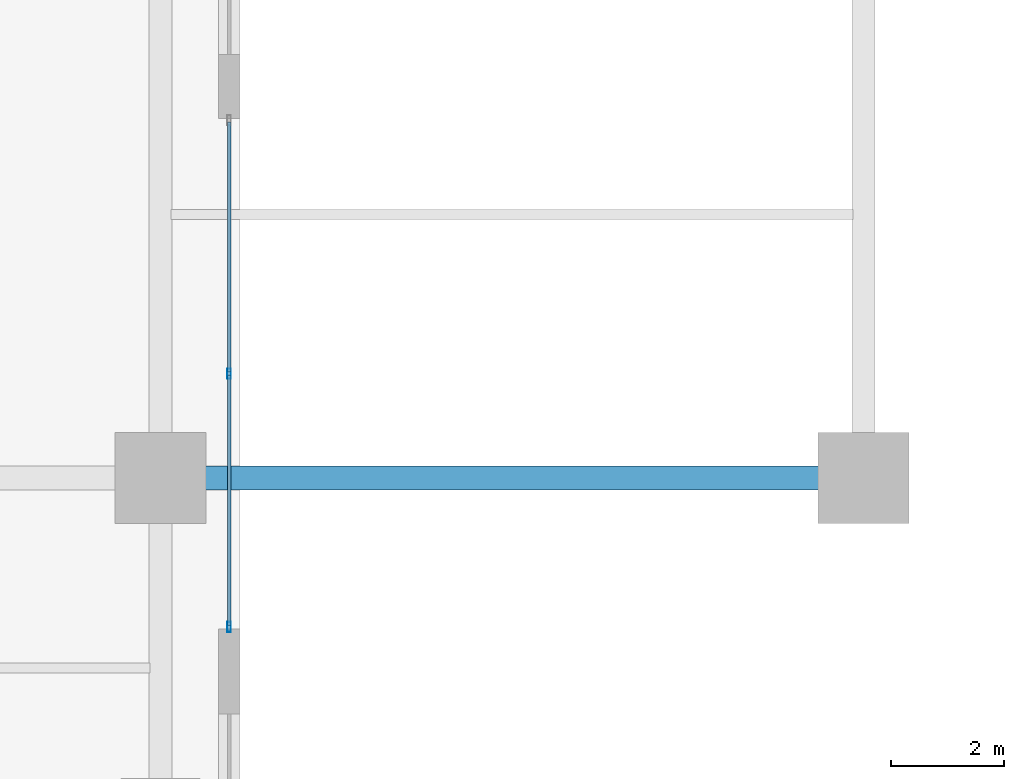
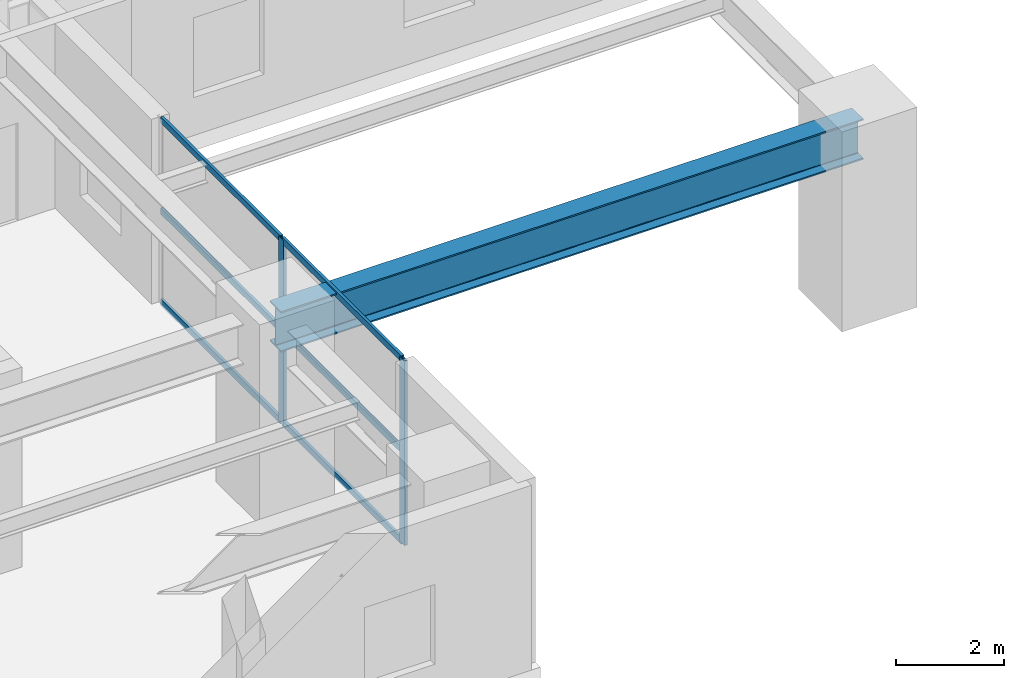
# One storey, part 2 of 28: 8 members, 1 beam, 1 element without a shape of its own.
"""IFC4 building model written with IfcOpenShell, lengths in metres."""

from ifc_helpers import new_model, si_unit, direction, frame, origin, origin_2d, place, context, subcontext, project, spatial, hollow_rectangle, i_section, extrude, source, transform, mapped, material, layer, layer_set, material_profile, profile_set, type_object, element, aggregate, save


model = new_model("IFC4")

# Units and contexts
model_context = context("Model", 3, precision=1e-05, world=origin(), true_north=direction((0.0, 1.0)))
body_context = subcontext(model_context, "Body", "Model", "MODEL_VIEW")
ifc_project = project(units=[si_unit("LENGTHUNIT", "METRE"), si_unit("AREAUNIT", "SQUARE_METRE"), si_unit("VOLUMEUNIT", "CUBIC_METRE"), si_unit("PLANEANGLEUNIT", "RADIAN"), si_unit("MASSUNIT", "GRAM", prefix="KILO")], contexts=[model_context])

# Site, building, storey
site_placement = place(None, origin())
site = spatial("IfcSite", under=ifc_project, at=site_placement, CompositionType="ELEMENT")
building_placement = place(site_placement, origin())
building = spatial("IfcBuilding", under=site, at=building_placement, Name="Khoralis Quay Care Tower", CompositionType="ELEMENT")
storey_placement = place(building_placement, frame((0.0, 0.0, 9.0)))
storey = spatial("IfcBuildingStorey", under=building, at=storey_placement, Name="L02", CompositionType="ELEMENT", Elevation=9.0)

# Beam
ifc_material_1 = material(Name="Steel S355", Category="steel")
ifc_material_profile_1 = material_profile(ifc_material_1, i_section(OverallWidth=0.41796875, OverallDepth=0.912109375, WebThickness=0.019287109375, FlangeThickness=0.031982421875, FilletRadius=0.02392578125, at=origin_2d()), Name="Steel S355")
ifc_profile_set_1 = profile_set([ifc_material_profile_1], Name="Steel S355")
beam_type = type_object("IfcBeamType", Name="BM-W920X342", PredefinedType="BEAM", material=ifc_profile_set_1)
shared_shape_1 = source(origin(), body_context, "Body", "SweptSolid", [
    extrude(i_section(OverallWidth=0.41796875, OverallDepth=0.912109375, WebThickness=0.019287109375, FlangeThickness=0.031982421875, FilletRadius=0.02392578125, at=origin_2d()), origin(), (0.0, 0.0, 1.0), 12.39990234375),
])
beam_placement = place(storey_placement, frame((34.60009765625, 1.35009765625, 3.7041015625), z_axis=(1.0, 0.0, 0.0), x_axis=(0.0, 1.0, 0.0)))
element("IfcBeam", 1, at=beam_placement, inside=storey, type_object=beam_type, Name="BM-PODX-L02-07", PredefinedType="BEAM", context=body_context, shape_type="MappedRepresentation", body=[
    mapped(shared_shape_1, transform((0.0, 0.0, 0.0), scale=1.0)),
])

# Curtain wall, members
ifc_material_2 = material(Name="Pale anodised aluminium", Category="aluminium")
ifc_layer = layer(ifc_material_2, 0.179931640625)
ifc_layer_set = layer_set([ifc_layer], Name="Pale anodised aluminium")
curtain_wall_type = type_object("IfcCurtainWallType", Name="CW-SYS-Z1", PredefinedType="NOTDEFINED", material=ifc_layer_set)
curtain_wall_placement = place(storey_placement, origin())
curtain_wall = element("IfcCurtainWall", 2, at=curtain_wall_placement, inside=storey, type_object=curtain_wall_type, Name="L02 Unitised Curtain Wall CW-POD-L02-E1", PredefinedType="NOTDEFINED")
ifc_material_profile_2 = material_profile(ifc_material_2, hollow_rectangle(XDim=0.06494140625, YDim=0.179931640625, WallThickness=0.00390625, at=origin_2d()), Name="Pale anodised aluminium")
ifc_profile_set_2 = profile_set([ifc_material_profile_2], Name="Pale anodised aluminium")
member_type_1 = type_object("IfcMemberType", Name="CW-MUL-180", PredefinedType="MULLION", material=ifc_profile_set_2)
shared_shape_2 = source(origin(), body_context, "Body", "SweptSolid", [
    extrude(hollow_rectangle(XDim=0.06494140625, YDim=0.179931640625, WallThickness=0.00390625, at=origin_2d()), origin(), (0.0, 0.0, 1.0), 4.159912109375),
])
member_1_placement = place(storey_placement, frame((35.81005859375, -1.280029296875, 0.0), z_axis=(0.0, 0.0, 1.0), x_axis=(-1.0, 0.0, 0.0)))
member_1 = element("IfcMember", 3, at=member_1_placement, type_object=member_type_1, Name="CW1 mullion 1", PredefinedType="MULLION", context=body_context, shape_type="MappedRepresentation", body=[
    mapped(shared_shape_2, transform((0.0, 0.0, 0.0), scale=1.0)),
])
member_2_placement = place(storey_placement, frame((35.81005859375, 3.18994140625, 0.0), z_axis=(0.0, 0.0, 1.0), x_axis=(-1.0, 0.0, 0.0)))
member_2 = element("IfcMember", 4, at=member_2_placement, type_object=member_type_1, Name="CW1 mullion 2", PredefinedType="MULLION", context=body_context, shape_type="MappedRepresentation", body=[
    mapped(shared_shape_2, transform((0.0, 0.0, 0.0), scale=1.0)),
])
ifc_material_profile_3 = material_profile(ifc_material_2, hollow_rectangle(XDim=0.06005859375, YDim=0.139892578125, WallThickness=0.00390625, at=origin_2d()), Name="Pale anodised aluminium")
ifc_profile_set_3 = profile_set([ifc_material_profile_3], Name="Pale anodised aluminium")
member_type_2 = type_object("IfcMemberType", Name="CW-TRN-140", PredefinedType="USERDEFINED", material=ifc_profile_set_3)
shared_shape_3 = source(origin(), body_context, "Body", "SweptSolid", [
    extrude(hollow_rectangle(XDim=0.06005859375, YDim=0.139892578125, WallThickness=0.00390625, at=origin_2d()), origin(), (0.0, 0.0, 1.0), 4.409912109375),
])
member_3_placement = place(storey_placement, frame((35.81005859375, -1.25, 0.030029296875), z_axis=(0.0, 1.0, 0.0), x_axis=(-1.0, 0.0, 0.0)))
member_3 = element("IfcMember", 5, at=member_3_placement, type_object=member_type_2, Name="CW1 transom 1.1", ObjectType="TRANSOM", PredefinedType="USERDEFINED", context=body_context, shape_type="MappedRepresentation", body=[
    mapped(shared_shape_3, transform((0.0, 0.0, 0.0), scale=1.0)),
])
member_4_placement = place(storey_placement, frame((35.81005859375, -1.25, 2.080078125), z_axis=(0.0, 1.0, 0.0), x_axis=(-1.0, 0.0, 0.0)))
member_4 = element("IfcMember", 6, at=member_4_placement, type_object=member_type_2, Name="CW1 transom 1.2", ObjectType="TRANSOM", PredefinedType="USERDEFINED", context=body_context, shape_type="MappedRepresentation", body=[
    mapped(shared_shape_3, transform((0.0, 0.0, 0.0), scale=1.0)),
])
member_5_placement = place(storey_placement, frame((35.81005859375, -1.25, 4.1298828125), z_axis=(0.0, 1.0, 0.0), x_axis=(-1.0, 0.0, 0.0)))
member_5 = element("IfcMember", 7, at=member_5_placement, type_object=member_type_2, Name="CW1 transom 1.3", ObjectType="TRANSOM", PredefinedType="USERDEFINED", context=body_context, shape_type="MappedRepresentation", body=[
    mapped(shared_shape_3, transform((0.0, 0.0, 0.0), scale=1.0)),
])
member_6_placement = place(storey_placement, frame((35.81005859375, 3.219970703125, 0.030029296875), z_axis=(0.0, 1.0, 0.0), x_axis=(-1.0, 0.0, 0.0)))
member_6 = element("IfcMember", 8, at=member_6_placement, type_object=member_type_2, Name="CW1 transom 2.1", ObjectType="TRANSOM", PredefinedType="USERDEFINED", context=body_context, shape_type="MappedRepresentation", body=[
    mapped(shared_shape_3, transform((0.0, 0.0, 0.0), scale=1.0)),
])
member_7_placement = place(storey_placement, frame((35.81005859375, 3.219970703125, 2.080078125), z_axis=(0.0, 1.0, 0.0), x_axis=(-1.0, 0.0, 0.0)))
member_7 = element("IfcMember", 9, at=member_7_placement, type_object=member_type_2, Name="CW1 transom 2.2", ObjectType="TRANSOM", PredefinedType="USERDEFINED", context=body_context, shape_type="MappedRepresentation", body=[
    mapped(shared_shape_3, transform((0.0, 0.0, 0.0), scale=1.0)),
])
member_8_placement = place(storey_placement, frame((35.81005859375, 3.219970703125, 4.1298828125), z_axis=(0.0, 1.0, 0.0), x_axis=(-1.0, 0.0, 0.0)))
member_8 = element("IfcMember", 10, at=member_8_placement, type_object=member_type_2, Name="CW1 transom 2.3", ObjectType="TRANSOM", PredefinedType="USERDEFINED", context=body_context, shape_type="MappedRepresentation", body=[
    mapped(shared_shape_3, transform((0.0, 0.0, 0.0), scale=1.0)),
])
aggregate(curtain_wall, [member_1, member_2, member_3, member_4, member_5, member_6, member_7, member_8])

save(model, "model.ifc")
